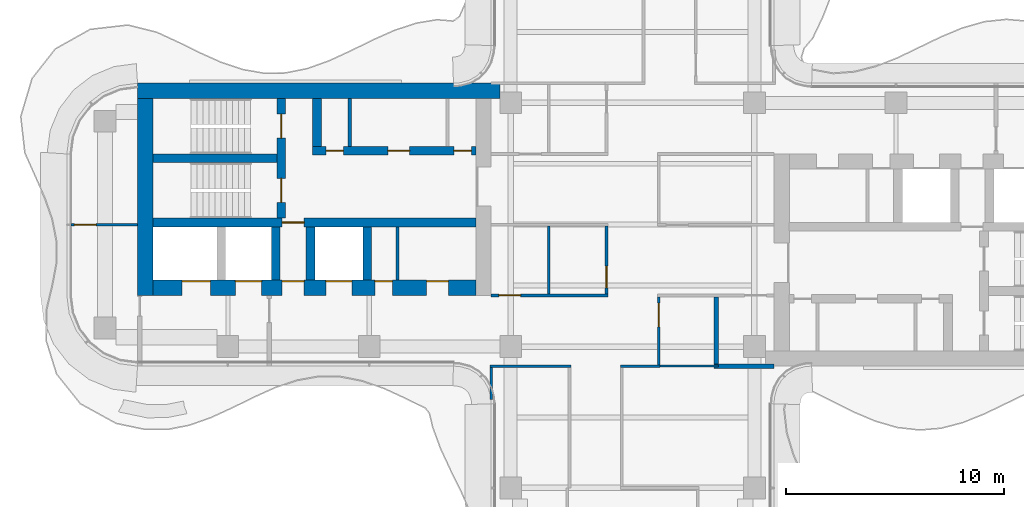
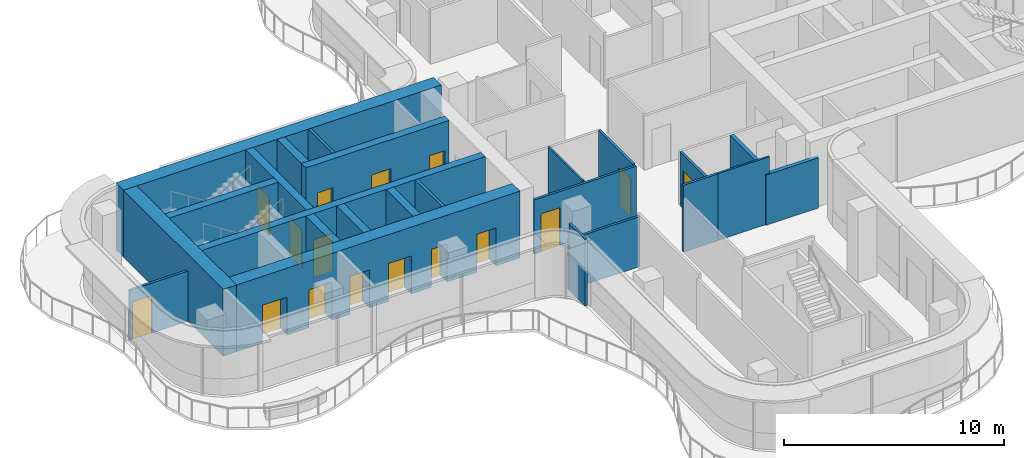
# One storey, part 11 of 16: 24 walls, 16 doors, 16 openings.
"""IFC4 building model written with IfcOpenShell, lengths in metres."""

from ifc_helpers import new_model, si_unit, direction, frame, frame_2d, origin, place, context, subcontext, project, spatial, rectangle, extrude, source, transform, mapped, material, layer, layer_set, type_object, element, fill, save


model = new_model("IFC4")

# Units and contexts
model_context = context("Model", 3, precision=1e-05, world=origin(), true_north=direction((0.0, 1.0)))
body_context = subcontext(model_context, "Body", "Model", "MODEL_VIEW")
ifc_project = project(units=[si_unit("LENGTHUNIT", "METRE"), si_unit("AREAUNIT", "SQUARE_METRE"), si_unit("VOLUMEUNIT", "CUBIC_METRE"), si_unit("PLANEANGLEUNIT", "RADIAN"), si_unit("MASSUNIT", "GRAM", prefix="KILO")], contexts=[model_context])

# Site, building, storey
site_placement = place(None, origin())
site = spatial("IfcSite", under=ifc_project, at=site_placement, CompositionType="ELEMENT")
building_placement = place(site_placement, origin())
building = spatial("IfcBuilding", under=site, at=building_placement, Name="Trellis Farm Tower", CompositionType="ELEMENT")
storey_placement = place(building_placement, frame((0.0, 0.0, 322.300048828125)))
storey = spatial("IfcBuildingStorey", under=building, at=storey_placement, Name="L73", CompositionType="ELEMENT", Elevation=322.300048828125)

# Walls
ifc_material_1 = material(Name="Concrete C50/60", Category="concrete")
ifc_layer_1 = layer(ifc_material_1, 0.699951171875)
ifc_layer_set_1 = layer_set([ifc_layer_1], Name="CORE OUTER WALL 700 CONCRETE C50/60")
wall_type_1 = type_object("IfcWallType", Name="CORE OUTER WALL 700 CONCRETE C50/60", PredefinedType="SHEAR", material=ifc_layer_set_1)
shared_shape_1 = source(origin(), body_context, "Body", "SweptSolid", [
    extrude(rectangle(XDim=9.050048828125, YDim=0.699951171875, at=frame_2d((4.52490234375, 0.0))), origin(), (0.0, 0.0, 1.0), 3.699951171875),
])
wall_1_placement = place(storey_placement, frame((-22.39990234375, 5.800048828125, 0.0), z_axis=(0.0, 0.0, 1.0), x_axis=(0.0, -1.0, 0.0)))
element("IfcWall", 1, at=wall_1_placement, inside=storey, type_object=wall_type_1, Name="Core wall", PredefinedType="SHEAR", context=body_context, shape_type="MappedRepresentation", body=[
    mapped(shared_shape_1, transform((0.0, 0.0, 0.0))),
])
ifc_layer_2 = layer(ifc_material_1, 0.39990234375)
ifc_layer_set_2 = layer_set([ifc_layer_2], Name="CORE INNER WALL 400 CONCRETE C50/60")
wall_type_2 = type_object("IfcWallType", Name="CORE INNER WALL 400 CONCRETE C50/60", PredefinedType="SHEAR", material=ifc_layer_set_2)
shared_shape_2 = source(origin(), body_context, "Body", "SweptSolid", [
    extrude(rectangle(XDim=2.449951171875, YDim=0.39990234375, at=frame_2d((1.22509765625, 0.0))), origin(), (0.0, 0.0, 1.0), 3.699951171875),
])
for number, where, z_axis, x_axis, name in (
    (2, (-12.199951171875, -0.10009765625, 0.0), (0.0, 0.0, 1.0), (0.0, -1.0, 0.0), "Core wall"),
    (3, (-14.800048828125, -0.10009765625, 0.0), (0.0, 0.0, 1.0), (0.0, -1.0, 0.0), "Core wall"),
    (4, (-16.39990234375, -0.10009765625, 0.0), (0.0, 0.0, 1.0), (0.0, -1.0, 0.0), "Core wall"),
):
    element("IfcWall", number, at=place(storey_placement, frame(where, z_axis=z_axis, x_axis=x_axis)), inside=storey, type_object=wall_type_2, Name=name, PredefinedType="SHEAR", context=body_context, shape_type="MappedRepresentation", body=[
        mapped(shared_shape_2, transform((0.0, 0.0, 0.0))),
    ])

# Wall, openings, doors
shared_shape_3 = source(origin(), body_context, "Body", "SweptSolid", [
    extrude(rectangle(XDim=14.85009765625, YDim=0.699951171875, at=frame_2d((7.425048828125, 0.0))), origin(), (0.0, 0.0, 1.0), 3.699951171875),
])
wall_2_placement = place(storey_placement, frame((-7.199951171875, -2.89990234375, 0.0), z_axis=(0.0, 0.0, 1.0), x_axis=(-1.0, 0.0, 0.0)))
wall_2 = element("IfcWall", 5, at=wall_2_placement, inside=storey, type_object=wall_type_1, Name="Core wall", PredefinedType="SHEAR", context=body_context, shape_type="MappedRepresentation", body=[
    mapped(shared_shape_3, transform((0.0, 0.0, 0.0))),
])
shared_shape_4 = source(origin(), body_context, "Body", "SweptSolid", [
    extrude(rectangle(XDim=1.199951171875, YDim=2.10009765625, at=frame_2d((0.60009765625, 1.050048828125))), frame((0.0, 0.360107421875, 0.0), z_axis=(0.0, -1.0, 0.0), x_axis=(1.0, 0.0, 0.0)), (0.0, 0.0, 1.0), 0.72021484375),
])
opening_1_placement = place(wall_2_placement, frame((5.699951171875, 0.0, 0.0)))
opening_1 = element("IfcOpeningElement", 6, at=opening_1_placement, cuts=wall_2, Name="Opening LD14", PredefinedType="OPENING", context=body_context, shape_type="MappedRepresentation", body=[
    mapped(shared_shape_4, transform((0.0, 0.0, 0.0))),
])
shared_shape_5 = source(origin(), body_context, "Body", "SweptSolid", [
    extrude(rectangle(XDim=1.300048828125, YDim=2.10009765625, at=frame_2d((0.64990234375, 1.050048828125))), frame((0.0, 0.360107421875, 0.0), z_axis=(0.0, -1.0, 0.0), x_axis=(1.0, 0.0, 0.0)), (0.0, 0.0, 1.0), 0.72021484375),
])
opening_2_placement = place(wall_2_placement, frame((12.199951171875, 0.0, 0.0)))
opening_2 = element("IfcOpeningElement", 7, at=opening_2_placement, cuts=wall_2, Name="Opening LD15", PredefinedType="OPENING", context=body_context, shape_type="MappedRepresentation", body=[
    mapped(shared_shape_5, transform((0.0, 0.0, 0.0))),
])
opening_3_placement = place(wall_2_placement, frame((9.85009765625, 0.0, 0.0)))
opening_3 = element("IfcOpeningElement", 8, at=opening_3_placement, cuts=wall_2, Name="Opening LD16", PredefinedType="OPENING", context=body_context, shape_type="MappedRepresentation", body=[
    mapped(shared_shape_4, transform((0.0, 0.0, 0.0))),
])
shared_shape_6 = source(origin(), body_context, "Body", "SweptSolid", [
    extrude(rectangle(XDim=1.0, YDim=2.10009765625, at=frame_2d((0.5, 1.050048828125))), frame((0.0, 0.360107421875, 0.0), z_axis=(0.0, -1.0, 0.0), x_axis=(1.0, 0.0, 0.0)), (0.0, 0.0, 1.0), 0.72021484375),
])
opening_4_placement = place(wall_2_placement, frame((7.89990234375, 0.0, 0.0)))
opening_4 = element("IfcOpeningElement", 9, at=opening_4_placement, cuts=wall_2, Name="Opening DC92", PredefinedType="OPENING", context=body_context, shape_type="MappedRepresentation", body=[
    mapped(shared_shape_6, transform((0.0, 0.0, 0.0))),
])
opening_5_placement = place(wall_2_placement, frame((1.262451171875, 0.0, 0.0)))
opening_5 = element("IfcOpeningElement", 10, at=opening_5_placement, cuts=wall_2, Name="Opening DC100", PredefinedType="OPENING", context=body_context, shape_type="MappedRepresentation", body=[
    mapped(shared_shape_6, transform((0.0, 0.0, 0.0))),
])
shared_shape_7 = source(origin(), body_context, "Body", "SweptSolid", [
    extrude(rectangle(XDim=0.800048828125, YDim=2.10009765625, at=frame_2d((0.39990234375, 1.050048828125))), frame((0.0, 0.360107421875, 0.0), z_axis=(0.0, -1.0, 0.0), x_axis=(1.0, 0.0, 0.0)), (0.0, 0.0, 1.0), 0.72021484375),
])
opening_6_placement = place(wall_2_placement, frame((3.83740234375, 0.0, 0.0)))
opening_6 = element("IfcOpeningElement", 11, at=opening_6_placement, cuts=wall_2, Name="Opening DC101", PredefinedType="OPENING", context=body_context, shape_type="MappedRepresentation", body=[
    mapped(shared_shape_7, transform((0.0, 0.0, 0.0))),
])
ifc_material_2 = material(Name="Steel", Category="steel")
door_type_1 = type_object("IfcDoorType", Name="CORE FIRE DOOR 1000 X 2100", OperationType="NOTDEFINED", PredefinedType="DOOR", material=ifc_material_2)
shared_shape_8 = source(origin(), body_context, "Body", "SweptSolid", [
    extrude(rectangle(XDim=1.0, YDim=2.10009765625, at=frame_2d((0.5, 1.050048828125))), frame((0.0, -0.27490234375, 0.0), z_axis=(0.0, -1.0, 0.0), x_axis=(1.0, 0.0, 0.0)), (0.0, 0.0, 1.0), 0.050048828125),
])
door_1_placement = place(opening_4_placement, origin())
door_1 = element("IfcDoor", 12, at=door_1_placement, inside=storey, type_object=door_type_1, Name="Core door", OperationType="SINGLE_SWING_LEFT", OverallHeight=2.10009765625, OverallWidth=1.0, PredefinedType="DOOR", context=body_context, shape_type="MappedRepresentation", body=[
    mapped(shared_shape_8, transform((0.0, 0.0, 0.0))),
])
fill(opening_4, door_1)
door_2_placement = place(opening_5_placement, origin())
door_2 = element("IfcDoor", 13, at=door_2_placement, inside=storey, type_object=door_type_1, Name="Core door", OperationType="SINGLE_SWING_RIGHT", OverallHeight=2.10009765625, OverallWidth=1.0, PredefinedType="DOOR", context=body_context, shape_type="MappedRepresentation", body=[
    mapped(shared_shape_8, transform((0.0, 0.0, 0.0))),
])
fill(opening_5, door_2)
ifc_material_3 = material(Name="Stainless steel", Category="steel")
door_type_2 = type_object("IfcDoorType", Name="LIFT LANDING DOOR 1300 X 2100", OperationType="DOUBLE_DOOR_SLIDING", PredefinedType="DOOR", material=ifc_material_3)
shared_shape_9 = source(origin(), body_context, "Body", "SweptSolid", [
    extrude(rectangle(XDim=1.300048828125, YDim=2.10009765625, at=frame_2d((0.64990234375, 1.050048828125))), frame((0.0, -0.27490234375, 0.0), z_axis=(0.0, -1.0, 0.0), x_axis=(1.0, 0.0, 0.0)), (0.0, 0.0, 1.0), 0.050048828125),
])
door_3_placement = place(opening_2_placement, origin())
door_3 = element("IfcDoor", 14, at=door_3_placement, inside=storey, type_object=door_type_2, Name="Lift landing door", OperationType="DOUBLE_DOOR_SLIDING", OverallHeight=2.10009765625, OverallWidth=1.300048828125, PredefinedType="DOOR", context=body_context, shape_type="MappedRepresentation", body=[
    mapped(shared_shape_9, transform((0.0, 0.0, 0.0))),
])
fill(opening_2, door_3)
door_type_3 = type_object("IfcDoorType", Name="LIFT LANDING DOOR 1200 X 2100", OperationType="DOUBLE_DOOR_SLIDING", PredefinedType="DOOR", material=ifc_material_3)
shared_shape_10 = source(origin(), body_context, "Body", "SweptSolid", [
    extrude(rectangle(XDim=1.199951171875, YDim=2.10009765625, at=frame_2d((0.60009765625, 1.050048828125))), frame((0.0, -0.27490234375, 0.0), z_axis=(0.0, -1.0, 0.0), x_axis=(1.0, 0.0, 0.0)), (0.0, 0.0, 1.0), 0.050048828125),
])
door_4_placement = place(opening_1_placement, origin())
door_4 = element("IfcDoor", 15, at=door_4_placement, inside=storey, type_object=door_type_3, Name="Lift landing door", OperationType="DOUBLE_DOOR_SLIDING", OverallHeight=2.10009765625, OverallWidth=1.199951171875, PredefinedType="DOOR", context=body_context, shape_type="MappedRepresentation", body=[
    mapped(shared_shape_10, transform((0.0, 0.0, 0.0))),
])
fill(opening_1, door_4)
door_5_placement = place(opening_3_placement, origin())
door_5 = element("IfcDoor", 16, at=door_5_placement, inside=storey, type_object=door_type_3, Name="Lift landing door", OperationType="DOUBLE_DOOR_SLIDING", OverallHeight=2.10009765625, OverallWidth=1.199951171875, PredefinedType="DOOR", context=body_context, shape_type="MappedRepresentation", body=[
    mapped(shared_shape_10, transform((0.0, 0.0, 0.0))),
])
fill(opening_3, door_5)
door_type_4 = type_object("IfcDoorType", Name="CORE FIRE DOOR 800 X 2100", OperationType="NOTDEFINED", PredefinedType="DOOR", material=ifc_material_2)
shared_shape_11 = source(origin(), body_context, "Body", "SweptSolid", [
    extrude(rectangle(XDim=0.800048828125, YDim=2.10009765625, at=frame_2d((0.39990234375, 1.050048828125))), frame((0.0, -0.27490234375, 0.0), z_axis=(0.0, -1.0, 0.0), x_axis=(1.0, 0.0, 0.0)), (0.0, 0.0, 1.0), 0.050048828125),
])
door_6_placement = place(opening_6_placement, origin())
door_6 = element("IfcDoor", 17, at=door_6_placement, inside=storey, type_object=door_type_4, Name="Core door", OperationType="SINGLE_SWING_LEFT", OverallHeight=2.10009765625, OverallWidth=0.800048828125, PredefinedType="DOOR", context=body_context, shape_type="MappedRepresentation", body=[
    mapped(shared_shape_11, transform((0.0, 0.0, 0.0))),
])
fill(opening_6, door_6)

shared_shape_12 = source(origin(), body_context, "Body", "SweptSolid", [
    extrude(rectangle(XDim=7.5, YDim=0.39990234375, at=frame_2d((3.75, 0.0))), origin(), (0.0, 0.0, 1.0), 3.699951171875),
])
wall_3_placement = place(storey_placement, frame((-7.199951171875, 3.39990234375, 0.0), z_axis=(0.0, 0.0, 1.0), x_axis=(-1.0, 0.0, 0.0)))
wall_3 = element("IfcWall", 18, at=wall_3_placement, inside=storey, type_object=wall_type_2, Name="Core wall", PredefinedType="SHEAR", context=body_context, shape_type="MappedRepresentation", body=[
    mapped(shared_shape_12, transform((0.0, 0.0, 0.0))),
])
shared_shape_13 = source(origin(), body_context, "Body", "SweptSolid", [
    extrude(rectangle(XDim=0.800048828125, YDim=2.10009765625, at=frame_2d((0.39990234375, 1.050048828125))), frame((0.0, 0.2099609375, 0.0), z_axis=(0.0, -1.0, 0.0), x_axis=(1.0, 0.0, 0.0)), (0.0, 0.0, 1.0), 0.419921875),
])
opening_7_placement = place(wall_3_placement, frame((0.21240234375, 0.0, 0.0)))
opening_7 = element("IfcOpeningElement", 19, at=opening_7_placement, cuts=wall_3, Name="Opening DC137", PredefinedType="OPENING", context=body_context, shape_type="MappedRepresentation", body=[
    mapped(shared_shape_13, transform((0.0, 0.0, 0.0))),
])
shared_shape_14 = source(origin(), body_context, "Body", "SweptSolid", [
    extrude(rectangle(XDim=1.0, YDim=2.10009765625, at=frame_2d((0.5, 1.050048828125))), frame((0.0, 0.2099609375, 0.0), z_axis=(0.0, -1.0, 0.0), x_axis=(1.0, 0.0, 0.0)), (0.0, 0.0, 1.0), 0.419921875),
])
opening_8_placement = place(wall_3_placement, frame((3.050048828125, 0.0, 0.0)))
opening_8 = element("IfcOpeningElement", 20, at=opening_8_placement, cuts=wall_3, Name="Opening DC148", PredefinedType="OPENING", context=body_context, shape_type="MappedRepresentation", body=[
    mapped(shared_shape_14, transform((0.0, 0.0, 0.0))),
])
opening_9_placement = place(wall_3_placement, frame((6.08740234375, 0.0, 0.0)))
opening_9 = element("IfcOpeningElement", 21, at=opening_9_placement, cuts=wall_3, Name="Opening DC149", PredefinedType="OPENING", context=body_context, shape_type="MappedRepresentation", body=[
    mapped(shared_shape_13, transform((0.0, 0.0, 0.0))),
])
shared_shape_15 = source(origin(), body_context, "Body", "SweptSolid", [
    extrude(rectangle(XDim=1.0, YDim=2.10009765625, at=frame_2d((0.5, 1.050048828125))), frame((0.0, 0.02490234375, 0.0), z_axis=(0.0, -1.0, 0.0), x_axis=(1.0, 0.0, 0.0)), (0.0, 0.0, 1.0), 0.050048828125),
])
door_7_placement = place(opening_8_placement, origin())
door_7 = element("IfcDoor", 22, at=door_7_placement, inside=storey, type_object=door_type_1, Name="Core door", OperationType="SINGLE_SWING_RIGHT", OverallHeight=2.10009765625, OverallWidth=1.0, PredefinedType="DOOR", context=body_context, shape_type="MappedRepresentation", body=[
    mapped(shared_shape_15, transform((0.0, 0.0, 0.0))),
])
fill(opening_8, door_7)
shared_shape_16 = source(origin(), body_context, "Body", "SweptSolid", [
    extrude(rectangle(XDim=0.800048828125, YDim=2.10009765625, at=frame_2d((0.39990234375, 1.050048828125))), frame((0.0, 0.02490234375, 0.0), z_axis=(0.0, -1.0, 0.0), x_axis=(1.0, 0.0, 0.0)), (0.0, 0.0, 1.0), 0.050048828125),
])
door_8_placement = place(opening_7_placement, origin())
door_8 = element("IfcDoor", 23, at=door_8_placement, inside=storey, type_object=door_type_4, Name="Core door", OperationType="SINGLE_SWING_LEFT", OverallHeight=2.10009765625, OverallWidth=0.800048828125, PredefinedType="DOOR", context=body_context, shape_type="MappedRepresentation", body=[
    mapped(shared_shape_16, transform((0.0, 0.0, 0.0))),
])
fill(opening_7, door_8)
door_9_placement = place(opening_9_placement, origin())
door_9 = element("IfcDoor", 24, at=door_9_placement, inside=storey, type_object=door_type_4, Name="Core door", OperationType="SINGLE_SWING_LEFT", OverallHeight=2.10009765625, OverallWidth=0.800048828125, PredefinedType="DOOR", context=body_context, shape_type="MappedRepresentation", body=[
    mapped(shared_shape_16, transform((0.0, 0.0, 0.0))),
])
fill(opening_9, door_9)

# Wall, opening, door
shared_shape_17 = source(origin(), body_context, "Body", "SweptSolid", [
    extrude(rectangle(XDim=14.85009765625, YDim=0.39990234375, at=frame_2d((7.425048828125, 0.0))), origin(), (0.0, 0.0, 1.0), 3.699951171875),
])
wall_4_placement = place(storey_placement, frame((-7.199951171875, 0.10009765625, 0.0), z_axis=(0.0, 0.0, 1.0), x_axis=(-1.0, 0.0, 0.0)))
wall_4 = element("IfcWall", 25, at=wall_4_placement, inside=storey, type_object=wall_type_2, Name="Core wall", PredefinedType="SHEAR", context=body_context, shape_type="MappedRepresentation", body=[
    mapped(shared_shape_17, transform((0.0, 0.0, 0.0))),
])
opening_10_placement = place(wall_4_placement, frame((7.89990234375, 0.0, 0.0)))
opening_10 = element("IfcOpeningElement", 26, at=opening_10_placement, cuts=wall_4, Name="Opening DC91", PredefinedType="OPENING", context=body_context, shape_type="MappedRepresentation", body=[
    mapped(shared_shape_14, transform((0.0, 0.0, 0.0))),
])
door_10_placement = place(opening_10_placement, origin())
door_10 = element("IfcDoor", 27, at=door_10_placement, inside=storey, type_object=door_type_1, Name="Core door", OperationType="SINGLE_SWING_RIGHT", OverallHeight=2.10009765625, OverallWidth=1.0, PredefinedType="DOOR", context=body_context, shape_type="MappedRepresentation", body=[
    mapped(shared_shape_15, transform((0.0, 0.0, 0.0))),
])
fill(opening_10, door_10)

# Wall, openings, doors
shared_shape_18 = source(origin(), body_context, "Body", "SweptSolid", [
    extrude(rectangle(XDim=5.5, YDim=0.39990234375, at=frame_2d((2.75, 0.0))), origin(), (0.0, 0.0, 1.0), 3.699951171875),
])
wall_5_placement = place(storey_placement, frame((-16.14990234375, 5.800048828125, 0.0), z_axis=(0.0, 0.0, 1.0), x_axis=(0.0, -1.0, 0.0)))
wall_5 = element("IfcWall", 28, at=wall_5_placement, inside=storey, type_object=wall_type_2, Name="Core wall", PredefinedType="SHEAR", context=body_context, shape_type="MappedRepresentation", body=[
    mapped(shared_shape_18, transform((0.0, 0.0, 0.0))),
])
shared_shape_19 = source(origin(), body_context, "Body", "SweptSolid", [
    extrude(rectangle(XDim=1.10009765625, YDim=2.10009765625, at=frame_2d((0.550048828125, 1.050048828125))), frame((0.0, 0.2099609375, 0.0), z_axis=(0.0, -1.0, 0.0), x_axis=(1.0, 0.0, 0.0)), (0.0, 0.0, 1.0), 0.419921875),
])
opening_11_placement = place(wall_5_placement, frame((0.72509765625, 0.0, 0.0)))
opening_11 = element("IfcOpeningElement", 29, at=opening_11_placement, cuts=wall_5, Name="Opening DC88", PredefinedType="OPENING", context=body_context, shape_type="MappedRepresentation", body=[
    mapped(shared_shape_19, transform((0.0, 0.0, 0.0))),
])
opening_12_placement = place(wall_5_placement, frame((3.675048828125, 0.0, 0.0)))
opening_12 = element("IfcOpeningElement", 30, at=opening_12_placement, cuts=wall_5, Name="Opening DC89", PredefinedType="OPENING", context=body_context, shape_type="MappedRepresentation", body=[
    mapped(shared_shape_19, transform((0.0, 0.0, 0.0))),
])
door_type_5 = type_object("IfcDoorType", Name="CORE FIRE DOOR 1100 X 2100", OperationType="NOTDEFINED", PredefinedType="DOOR", material=ifc_material_2)
shared_shape_20 = source(origin(), body_context, "Body", "SweptSolid", [
    extrude(rectangle(XDim=1.10009765625, YDim=2.10009765625, at=frame_2d((0.550048828125, 1.050048828125))), frame((0.0, 0.02490234375, 0.0), z_axis=(0.0, -1.0, 0.0), x_axis=(1.0, 0.0, 0.0)), (0.0, 0.0, 1.0), 0.050048828125),
])
door_11_placement = place(opening_11_placement, origin())
door_11 = element("IfcDoor", 31, at=door_11_placement, inside=storey, type_object=door_type_5, Name="Core door", OperationType="SINGLE_SWING_RIGHT", OverallHeight=2.10009765625, OverallWidth=1.10009765625, PredefinedType="DOOR", context=body_context, shape_type="MappedRepresentation", body=[
    mapped(shared_shape_20, transform((0.0, 0.0, 0.0))),
])
fill(opening_11, door_11)
door_12_placement = place(opening_12_placement, origin())
door_12 = element("IfcDoor", 32, at=door_12_placement, inside=storey, type_object=door_type_5, Name="Core door", OperationType="SINGLE_SWING_LEFT", OverallHeight=2.10009765625, OverallWidth=1.10009765625, PredefinedType="DOOR", context=body_context, shape_type="MappedRepresentation", body=[
    mapped(shared_shape_20, transform((0.0, 0.0, 0.0))),
])
fill(opening_12, door_12)

# Walls
shared_shape_21 = source(origin(), body_context, "Body", "SweptSolid", [
    extrude(rectangle(XDim=5.699951171875, YDim=0.39990234375, at=frame_2d((2.85009765625, 0.0))), origin(), (0.0, 0.0, 1.0), 3.699951171875),
])
wall_6_placement = place(storey_placement, frame((-16.35009765625, 3.050048828125, 0.0), z_axis=(0.0, 0.0, 1.0), x_axis=(-1.0, 0.0, 0.0)))
element("IfcWall", 33, at=wall_6_placement, inside=storey, type_object=wall_type_2, Name="Core wall", PredefinedType="SHEAR", context=body_context, shape_type="MappedRepresentation", body=[
    mapped(shared_shape_21, transform((0.0, 0.0, 0.0))),
])
shared_shape_22 = source(origin(), body_context, "Body", "SweptSolid", [
    extrude(rectangle(XDim=2.199951171875, YDim=0.39990234375, at=frame_2d((1.10009765625, 0.0))), origin(), (0.0, 0.0, 1.0), 3.699951171875),
])
wall_7_placement = place(storey_placement, frame((-14.5, 5.800048828125, 0.0), z_axis=(0.0, 0.0, 1.0), x_axis=(0.0, -1.0, 0.0)))
element("IfcWall", 34, at=wall_7_placement, inside=storey, type_object=wall_type_2, Name="Core wall", PredefinedType="SHEAR", context=body_context, shape_type="MappedRepresentation", body=[
    mapped(shared_shape_22, transform((0.0, 0.0, 0.0))),
])
ifc_material_4 = material(Name="Masonry blockwork", Category="masonry")
ifc_layer_3 = layer(ifc_material_4, 0.14990234375)
ifc_layer_set_3 = layer_set([ifc_layer_3], Name="CORE PARTITION 150 BLOCKWORK")
wall_type_3 = type_object("IfcWallType", Name="CORE PARTITION 150 BLOCKWORK", PredefinedType="PARTITIONING", material=ifc_layer_set_3)
shared_shape_23 = source(origin(), body_context, "Body", "SweptSolid", [
    extrude(rectangle(XDim=2.199951171875, YDim=0.14990234375, at=frame_2d((1.10009765625, 0.0))), origin(), (0.0, 0.0, 1.0), 3.699951171875),
])
wall_8_placement = place(storey_placement, frame((-13.0, 5.800048828125, 0.0), z_axis=(0.0, 0.0, 1.0), x_axis=(0.0, -1.0, 0.0)))
element("IfcWall", 35, at=wall_8_placement, inside=storey, type_object=wall_type_3, Name="Core room partition", PredefinedType="PARTITIONING", context=body_context, shape_type="MappedRepresentation", body=[
    mapped(shared_shape_23, transform((0.0, 0.0, 0.0))),
])
shared_shape_24 = source(origin(), body_context, "Body", "SweptSolid", [
    extrude(rectangle(XDim=16.64990234375, YDim=0.699951171875, at=frame_2d((8.324951171875, 0.0))), origin(), (0.0, 0.0, 1.0), 3.699951171875),
])
wall_9_placement = place(storey_placement, frame((-6.10009765625, 6.14990234375, 0.0), z_axis=(0.0, 0.0, 1.0), x_axis=(-1.0, 0.0, 0.0)))
element("IfcWall", 36, at=wall_9_placement, inside=storey, type_object=wall_type_1, Name="Core wall", PredefinedType="SHEAR", context=body_context, shape_type="MappedRepresentation", body=[
    mapped(shared_shape_24, transform((0.0, 0.0, 0.0))),
])
shared_shape_25 = source(origin(), body_context, "Body", "SweptSolid", [
    extrude(rectangle(XDim=2.449951171875, YDim=0.14990234375, at=frame_2d((1.22509765625, 0.0))), origin(), (0.0, 0.0, 1.0), 3.699951171875),
])
wall_10_placement = place(storey_placement, frame((-10.800048828125, -0.10009765625, 0.0), z_axis=(0.0, 0.0, 1.0), x_axis=(0.0, -1.0, 0.0)))
element("IfcWall", 37, at=wall_10_placement, inside=storey, type_object=wall_type_3, Name="Core room partition", PredefinedType="PARTITIONING", context=body_context, shape_type="MappedRepresentation", body=[
    mapped(shared_shape_25, transform((0.0, 0.0, 0.0))),
])

# Wall, opening, door
ifc_material_5 = material(Name="Plasterboard on steel studs, mineral wool", Category="steel")
ifc_layer_4 = layer(ifc_material_5, 0.125)
ifc_layer_set_4 = layer_set([ifc_layer_4], Name="PARTITION 125 STUD EI 60")
wall_type_4 = type_object("IfcWallType", Name="PARTITION 125 STUD EI 60", PredefinedType="PARTITIONING", material=ifc_layer_set_4)
shared_shape_26 = source(origin(), body_context, "Body", "SweptSolid", [
    extrude(rectangle(XDim=3.137451171875, YDim=0.125, at=frame_2d((1.56884765625, 0.0))), origin(), (0.0, 0.0, 1.0), 2.99658203125),
])
wall_11_placement = place(storey_placement, frame((1.199951171875, -3.3125, 0.0), z_axis=(0.0, 0.0, 1.0), x_axis=(0.0, -1.0, 0.0)))
wall_11 = element("IfcWall", 38, at=wall_11_placement, inside=storey, type_object=wall_type_4, Name="Partition PW1", PredefinedType="PARTITIONING", context=body_context, shape_type="MappedRepresentation", body=[
    mapped(shared_shape_26, transform((0.0, 0.0, 0.0))),
])
shared_shape_27 = source(origin(), body_context, "Body", "SweptSolid", [
    extrude(rectangle(XDim=1.10009765625, YDim=2.10009765625, at=frame_2d((0.550048828125, 1.050048828125))), frame((0.0, 0.072509765625, 0.0), z_axis=(0.0, -1.0, 0.0), x_axis=(1.0, 0.0, 0.0)), (0.0, 0.0, 1.0), 0.14501953125),
])
opening_13_placement = place(wall_11_placement, frame((0.28759765625, 0.0, 0.0)))
opening_13 = element("IfcOpeningElement", 39, at=opening_13_placement, cuts=wall_11, Name="Opening D501", PredefinedType="OPENING", context=body_context, shape_type="MappedRepresentation", body=[
    mapped(shared_shape_27, transform((0.0, 0.0, 0.0))),
])
ifc_material_6 = material(Name="Fire-rated timber door leaf in a hollow metal frame", Category="wood")
door_type_6 = type_object("IfcDoorType", Name="DOOR 1100x2100 FD30S", OperationType="NOTDEFINED", PredefinedType="DOOR", material=ifc_material_6)
door_13_placement = place(opening_13_placement, origin())
door_13 = element("IfcDoor", 40, at=door_13_placement, inside=storey, type_object=door_type_6, Name="Door D501", OperationType="SINGLE_SWING_LEFT", OverallHeight=2.10009765625, OverallWidth=1.10009765625, PredefinedType="DOOR", context=body_context, shape_type="MappedRepresentation", body=[
    mapped(shared_shape_20, transform((0.0, 0.0, 0.0))),
])
fill(opening_13, door_13)

shared_shape_28 = source(origin(), body_context, "Body", "SweptSolid", [
    extrude(rectangle(XDim=3.125, YDim=0.125, at=frame_2d((1.5625, 0.0))), origin(), (0.0, 0.0, 1.0), 3.06787109375),
])
wall_12_placement = place(storey_placement, frame((-1.199951171875, -0.0625, 0.0), z_axis=(0.0, 0.0, 1.0), x_axis=(0.0, -1.0, 0.0)))
wall_12 = element("IfcWall", 41, at=wall_12_placement, inside=storey, type_object=wall_type_4, Name="Partition PW1", PredefinedType="PARTITIONING", context=body_context, shape_type="MappedRepresentation", body=[
    mapped(shared_shape_28, transform((0.0, 0.0, 0.0))),
])
shared_shape_29 = source(origin(), body_context, "Body", "SweptSolid", [
    extrude(rectangle(XDim=1.0, YDim=2.10009765625, at=frame_2d((0.5, 1.050048828125))), frame((0.0, 0.072509765625, 0.0), z_axis=(0.0, -1.0, 0.0), x_axis=(1.0, 0.0, 0.0)), (0.0, 0.0, 1.0), 0.14501953125),
])
opening_14_placement = place(wall_12_placement, frame((1.83740234375, 0.0, 0.0)))
opening_14 = element("IfcOpeningElement", 42, at=opening_14_placement, cuts=wall_12, Name="Opening D103", PredefinedType="OPENING", context=body_context, shape_type="MappedRepresentation", body=[
    mapped(shared_shape_29, transform((0.0, 0.0, 0.0))),
])
door_type_7 = type_object("IfcDoorType", Name="DOOR 1000x2100 FD30S", OperationType="NOTDEFINED", PredefinedType="DOOR", material=ifc_material_6)
door_14_placement = place(opening_14_placement, origin())
door_14 = element("IfcDoor", 43, at=door_14_placement, inside=storey, type_object=door_type_7, Name="Door D103", OperationType="SINGLE_SWING_RIGHT", OverallHeight=2.10009765625, OverallWidth=1.0, PredefinedType="DOOR", context=body_context, shape_type="MappedRepresentation", body=[
    mapped(shared_shape_15, transform((0.0, 0.0, 0.0))),
])
fill(opening_14, door_14)

# Wall
shared_shape_30 = source(origin(), body_context, "Body", "SweptSolid", [
    extrude(rectangle(XDim=1.468994140625, YDim=0.125, at=frame_2d((0.734375, 0.0))), origin(), (0.0, 0.0, 1.0), 3.699951171875),
])
wall_13_placement = place(storey_placement, frame((-6.5, -6.5625, 0.0), z_axis=(0.0, 0.0, 1.0), x_axis=(0.0, -1.0, 0.0)))
element("IfcWall", 44, at=wall_13_placement, inside=storey, type_object=wall_type_4, Name="Partition PW1", PredefinedType="PARTITIONING", context=body_context, shape_type="MappedRepresentation", body=[
    mapped(shared_shape_30, transform((0.0, 0.0, 0.0))),
])

# Wall, opening, door
shared_shape_31 = source(origin(), body_context, "Body", "SweptSolid", [
    extrude(rectangle(XDim=5.362548828125, YDim=0.125, at=frame_2d((2.68115234375, 0.0))), origin(), (0.0, 0.0, 1.0), 2.99658203125),
])
wall_14_placement = place(storey_placement, frame((-1.137451171875, -3.25, 0.0), z_axis=(0.0, 0.0, 1.0), x_axis=(-1.0, 0.0, 0.0)))
wall_14 = element("IfcWall", 45, at=wall_14_placement, inside=storey, type_object=wall_type_4, Name="Partition PW1", PredefinedType="PARTITIONING", context=body_context, shape_type="MappedRepresentation", body=[
    mapped(shared_shape_31, transform((0.0, 0.0, 0.0))),
])
opening_15_placement = place(wall_14_placement, frame((4.012451171875, 0.0, 0.0)))
opening_15 = element("IfcOpeningElement", 46, at=opening_15_placement, cuts=wall_14, Name="Opening D102", PredefinedType="OPENING", context=body_context, shape_type="MappedRepresentation", body=[
    mapped(shared_shape_29, transform((0.0, 0.0, 0.0))),
])
door_15_placement = place(opening_15_placement, origin())
door_15 = element("IfcDoor", 47, at=door_15_placement, inside=storey, type_object=door_type_7, Name="Door D102", OperationType="SINGLE_SWING_RIGHT", OverallHeight=2.10009765625, OverallWidth=1.0, PredefinedType="DOOR", context=body_context, shape_type="MappedRepresentation", body=[
    mapped(shared_shape_15, transform((0.0, 0.0, 0.0))),
])
fill(opening_15, door_15)

# Walls
shared_shape_32 = source(origin(), body_context, "Body", "SweptSolid", [
    extrude(rectangle(XDim=1.824951171875, YDim=0.125, at=frame_2d((0.91259765625, 0.0))), origin(), (0.0, 0.0, 1.0), 3.699951171875),
])
wall_15_placement = place(storey_placement, frame((1.262451171875, -6.5, 0.0), z_axis=(0.0, 0.0, 1.0), x_axis=(-1.0, 0.0, 0.0)))
element("IfcWall", 48, at=wall_15_placement, inside=storey, type_object=wall_type_4, Name="Partition PW1", PredefinedType="PARTITIONING", context=body_context, shape_type="MappedRepresentation", body=[
    mapped(shared_shape_32, transform((0.0, 0.0, 0.0))),
])
shared_shape_33 = source(origin(), body_context, "Body", "SweptSolid", [
    extrude(rectangle(XDim=3.72509765625, YDim=0.125, at=frame_2d((1.862548828125, 0.0))), origin(), (0.0, 0.0, 1.0), 2.780029296875),
])
wall_16_placement = place(storey_placement, frame((-2.83740234375, -6.5, 0.0), z_axis=(0.0, 0.0, 1.0), x_axis=(-1.0, 0.0, 0.0)))
element("IfcWall", 49, at=wall_16_placement, inside=storey, type_object=wall_type_4, Name="Partition PW1", PredefinedType="PARTITIONING", context=body_context, shape_type="MappedRepresentation", body=[
    mapped(shared_shape_33, transform((0.0, 0.0, 0.0))),
])

# Wall, opening, door
shared_shape_34 = source(origin(), body_context, "Body", "SweptSolid", [
    extrude(rectangle(XDim=3.050048828125, YDim=0.125, at=frame_2d((1.52490234375, 0.0))), origin(), (0.0, 0.0, 1.0), 2.780029296875),
])
wall_17_placement = place(storey_placement, frame((-25.800048828125, 0.0, 0.0), z_axis=(0.0, 0.0, 1.0), x_axis=(1.0, 0.0, 0.0)))
wall_17 = element("IfcWall", 50, at=wall_17_placement, inside=storey, type_object=wall_type_4, Name="Partition PW1", PredefinedType="PARTITIONING", context=body_context, shape_type="MappedRepresentation", body=[
    mapped(shared_shape_34, transform((0.0, 0.0, 0.0))),
])
opening_16_placement = place(wall_17_placement, frame((0.14990234375, 0.0, 0.0)))
opening_16 = element("IfcOpeningElement", 51, at=opening_16_placement, cuts=wall_17, Name="Opening D104", PredefinedType="OPENING", context=body_context, shape_type="MappedRepresentation", body=[
    mapped(shared_shape_29, transform((0.0, 0.0, 0.0))),
])
door_16_placement = place(opening_16_placement, origin())
door_16 = element("IfcDoor", 52, at=door_16_placement, inside=storey, type_object=door_type_7, Name="Door D104", OperationType="SINGLE_SWING_LEFT", OverallHeight=2.10009765625, OverallWidth=1.0, PredefinedType="DOOR", context=body_context, shape_type="MappedRepresentation", body=[
    mapped(shared_shape_15, transform((0.0, 0.0, 0.0))),
])
fill(opening_16, door_16)

# Walls
ifc_material_7 = material(Name="Plasterboard on steel studs", Category="steel")
ifc_layer_5 = layer(ifc_material_7, 0.10009765625)
ifc_layer_set_5 = layer_set([ifc_layer_5], Name="PARTITION 100 STUD EI 30")
wall_type_5 = type_object("IfcWallType", Name="PARTITION 100 STUD EI 30", PredefinedType="PARTITIONING", material=ifc_layer_set_5)
shared_shape_35 = source(origin(), body_context, "Body", "SweptSolid", [
    extrude(rectangle(XDim=3.125, YDim=0.10009765625, at=frame_2d((1.5625, 0.0))), origin(), (0.0, 0.0, 1.0), 3.06787109375),
])
wall_18_placement = place(storey_placement, frame((-3.85009765625, -3.1875, 0.0), z_axis=(0.0, 0.0, 1.0), x_axis=(0.0, 1.0, 0.0)))
element("IfcWall", 53, at=wall_18_placement, inside=storey, type_object=wall_type_5, Name="Partition PW2", PredefinedType="PARTITIONING", context=body_context, shape_type="MappedRepresentation", body=[
    mapped(shared_shape_35, transform((0.0, 0.0, 0.0))),
])
ifc_material_8 = material(Name="Lightweight blockwork, plastered", Category="masonry")
ifc_layer_6 = layer(ifc_material_8, 0.199951171875)
ifc_layer_set_6 = layer_set([ifc_layer_6], Name="BLOCK WALL 200 EI 120")
wall_type_6 = type_object("IfcWallType", Name="BLOCK WALL 200 EI 120", PredefinedType="PARTITIONING", material=ifc_layer_set_6)
shared_shape_36 = source(origin(), body_context, "Body", "SweptSolid", [
    extrude(rectangle(XDim=3.08740234375, YDim=0.199951171875, at=frame_2d((1.543701171875, 0.0))), origin(), (0.0, 0.0, 1.0), 2.99658203125),
])
wall_19_placement = place(storey_placement, frame((3.85009765625, -6.39990234375, 0.0), z_axis=(0.0, 0.0, 1.0), x_axis=(0.0, 1.0, 0.0)))
element("IfcWall", 54, at=wall_19_placement, inside=storey, type_object=wall_type_6, Name="Partition PW3", PredefinedType="PARTITIONING", context=body_context, shape_type="MappedRepresentation", body=[
    mapped(shared_shape_36, transform((0.0, 0.0, 0.0))),
])
shared_shape_37 = source(origin(), body_context, "Body", "SweptSolid", [
    extrude(rectangle(XDim=2.75, YDim=0.199951171875, at=frame_2d((1.375, 0.0))), origin(), (0.0, 0.0, 1.0), 2.780029296875),
])
wall_20_placement = place(storey_placement, frame((3.75, -6.5, 0.0), z_axis=(0.0, 0.0, 1.0), x_axis=(1.0, 0.0, 0.0)))
element("IfcWall", 55, at=wall_20_placement, inside=storey, type_object=wall_type_6, Name="Partition PW3", PredefinedType="PARTITIONING", context=body_context, shape_type="MappedRepresentation", body=[
    mapped(shared_shape_37, transform((0.0, 0.0, 0.0))),
])
shared_shape_38 = source(origin(), body_context, "Body", "SweptSolid", [
    extrude(rectangle(XDim=2.8125, YDim=0.10009765625, at=frame_2d((1.40625, 0.0))), origin(), (0.0, 0.0, 1.0), 3.699951171875),
])
wall_21_placement = place(storey_placement, frame((1.137451171875, -6.5, 0.0), z_axis=(0.0, 0.0, 1.0), x_axis=(1.0, 0.0, 0.0)))
element("IfcWall", 56, at=wall_21_placement, inside=storey, type_object=wall_type_5, Name="Partition PW2", PredefinedType="PARTITIONING", context=body_context, shape_type="MappedRepresentation", body=[
    mapped(shared_shape_38, transform((0.0, 0.0, 0.0))),
])

save(model, "model.ifc")
